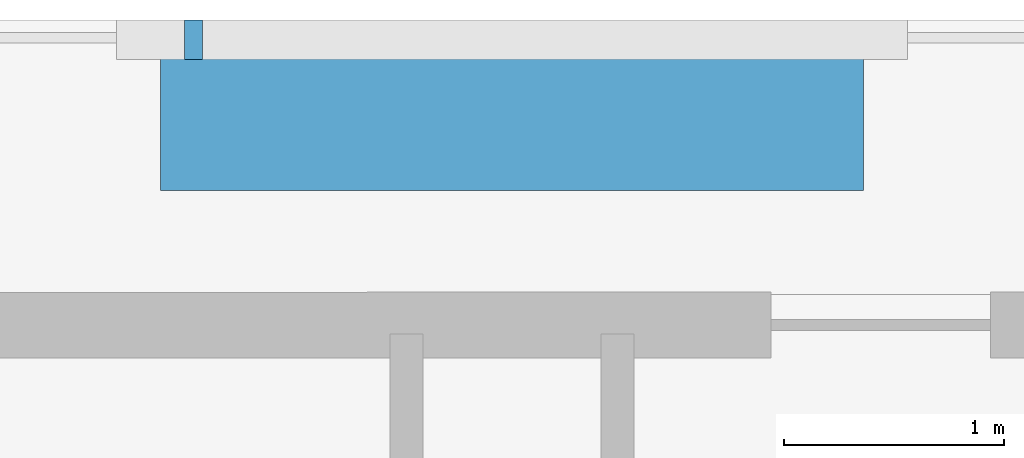
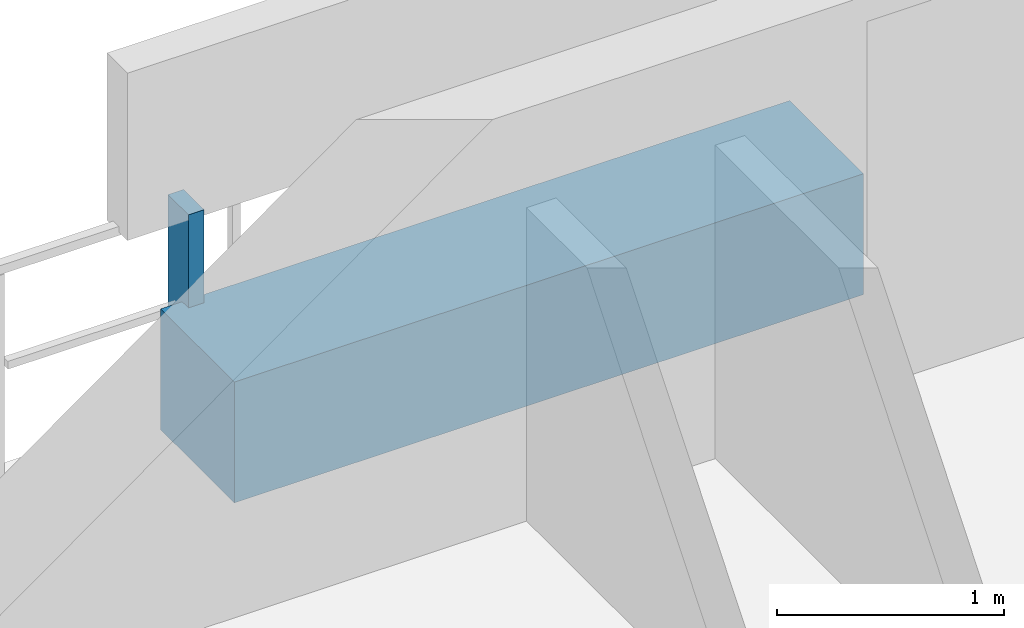
# One storey, part 31 of 36: 2 discrete accessories.
"""IFC4 building model written with IfcOpenShell, lengths in metres."""

from ifc_helpers import new_model, si_unit, direction, frame, origin, origin_2d, place, context, subcontext, project, spatial, rectangle, extrude, material, type_object, element, save


model = new_model("IFC4")

# Units and contexts
model_context = context("Model", 3, precision=1e-05, world=origin(), true_north=direction((0.0, 1.0)))
body_context = subcontext(model_context, "Body", "Model", "MODEL_VIEW")
ifc_project = project(units=[si_unit("LENGTHUNIT", "METRE"), si_unit("AREAUNIT", "SQUARE_METRE"), si_unit("VOLUMEUNIT", "CUBIC_METRE"), si_unit("PLANEANGLEUNIT", "RADIAN"), si_unit("MASSUNIT", "GRAM", prefix="KILO")], contexts=[model_context])

# Site, building, storey
site_placement = place(None, origin())
site = spatial("IfcSite", under=ifc_project, at=site_placement, CompositionType="ELEMENT")
building_placement = place(site_placement, origin())
building = spatial("IfcBuilding", under=site, at=building_placement, Name="Thornwick Lancets Civic Towers", CompositionType="ELEMENT")
storey_placement = place(building_placement, frame((0.0, 0.0, 94.5)))
storey = spatial("IfcBuildingStorey", under=building, at=storey_placement, Name="L24", CompositionType="ELEMENT", Elevation=94.5)

# Discrete accessories
ifc_material_1 = material(Name="Planted terracotta greenery planter", Category="masonry")
discrete_accessory_type_1 = type_object("IfcDiscreteAccessoryType", Name="ACC_PLANTER_BOX", PredefinedType="USERDEFINED", material=ifc_material_1)
discrete_accessory_1_placement = place(storey_placement, frame((25.5, 51.89990234375, 0.0), z_axis=(0.0, 0.0, 1.0), x_axis=(1.0, 0.0, 0.0)))
element("IfcDiscreteAccessory", 1, at=discrete_accessory_1_placement, inside=storey, type_object=discrete_accessory_type_1, Name="L24 Tower A Balcony Greenery Planter N", ObjectType="PLANTER", PredefinedType="USERDEFINED", context=body_context, shape_type="SweptSolid", body=[
    extrude(rectangle(XDim=3.199951171875, YDim=0.64990234375, at=origin_2d()), origin(), (0.0, 0.0, 1.0), 0.64990234375),
])
ifc_material_2 = material(Name="Stainless steel S355", Category="steel")
discrete_accessory_type_2 = type_object("IfcDiscreteAccessoryType", Name="ACC_SCREEN_BRACKET", PredefinedType="BRACKET", material=ifc_material_2)
discrete_accessory_2_placement = place(storey_placement, frame((24.050048828125, 52.260009765625, 0.0), z_axis=(0.0, 0.0, 1.0), x_axis=(1.0, 0.0, 0.0)))
element("IfcDiscreteAccessory", 2, at=discrete_accessory_2_placement, inside=storey, type_object=discrete_accessory_type_2, Name="L24 Tower A Balcony Screen Stanchion Bracket N-1", PredefinedType="BRACKET", context=body_context, shape_type="SweptSolid", body=[
    extrude(rectangle(XDim=0.080078125, YDim=0.179931640625, at=origin_2d()), origin(), (0.0, 0.0, 1.0), 1.14990234375),
])

save(model, "model.ifc")
